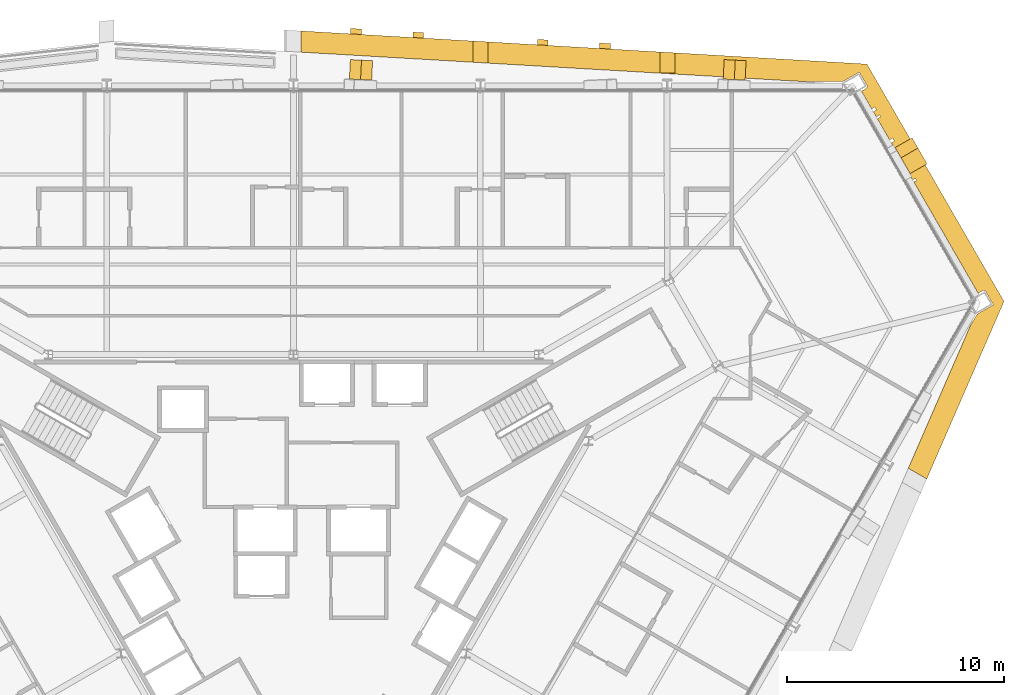
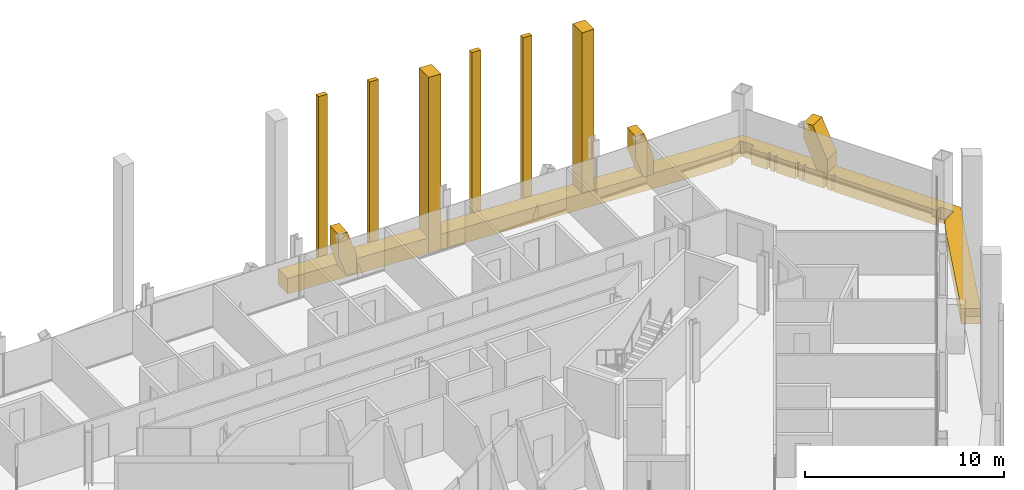
# One storey, part 19 of 19: 11 coverings.
"""IFC4 building model written with IfcOpenShell, lengths in metres."""

import ifcopenshell
import ifcopenshell.guid

model = None  # the IFC model being written
_history = None  # IfcOwnerHistory: only IFC2X3 demands one
_inside = {}  # id of a spatial element -> (the spatial element, [elements in it])
_under = {}  # id of a project, library or spatial element -> (it, [spatial elements below it])
_declared = {}  # id of a project -> (the project, [libraries it declares])
_typed = {}  # id of a type object -> (the type object, [elements of that type])
_made_of = {}  # id of a material, layer set ... -> (it, [elements and type objects made of it])


def new_model(schema):
    """Start an empty IFC model of exactly this schema.

    Asked for "IFC4X3", IfcOpenShell would pick the latest addendum, in which some entities
    have other attributes; the version numbers below select the first issue.
    IFC2X3 requires an IfcOwnerHistory on every rooted entity: one is made here for all.
    """
    global model, _history
    if schema == "IFC4X3":
        model = ifcopenshell.file(schema_version=(4, 3, 0, 0))
    else:
        model = ifcopenshell.file(schema=schema)
    _inside.clear()
    _under.clear()
    _declared.clear()
    _typed.clear()
    _made_of.clear()
    _history = None
    if model.schema == "IFC2X3":
        org = make("IfcOrganization", Name="unknown")
        user = make(
            "IfcPersonAndOrganization",
            ThePerson=make("IfcPerson", FamilyName="unknown"),
            TheOrganization=org,
        )
        app = make(
            "IfcApplication",
            ApplicationDeveloper=org,
            Version="unknown",
            ApplicationFullName="unknown",
            ApplicationIdentifier="unknown",
        )
        _history = make(
            "IfcOwnerHistory",
            OwningUser=user,
            OwningApplication=app,
            ChangeAction="ADDED",
            CreationDate=0,
        )
    return model


def make(cls, **values):
    """One entity of the class cls with the attributes given. An attribute that is None is left unset."""
    return model.create_entity(
        cls, **{name: value for name, value in values.items() if value is not None}
    )


def rooted(cls, **values):
    """An entity with a GlobalId (a new one), such as an element, a storey or a relation."""
    return make(cls, GlobalId=ifcopenshell.guid.new(), OwnerHistory=_history, **values)


def si_unit(unit_type, name, prefix=None):
    """IfcSIUnit, for example si_unit("LENGTHUNIT", "METRE", prefix="MILLI")."""
    return make("IfcSIUnit", UnitType=unit_type, Prefix=prefix, Name=name)


def assignment(units):
    """IfcUnitAssignment: the units of a project."""
    return None if units is None else make("IfcUnitAssignment", Units=units)


def point(xyz):
    """IfcCartesianPoint."""
    return None if xyz is None else make("IfcCartesianPoint", Coordinates=xyz)


def direction(xyz):
    """IfcDirection."""
    return None if xyz is None else make("IfcDirection", DirectionRatios=xyz)


def frame(location, z_axis=None, x_axis=None):
    """IfcAxis2Placement3D, a coordinate frame: its origin and axes. An axis left out is left unset."""
    return make(
        "IfcAxis2Placement3D",
        Location=point(location),
        Axis=direction(z_axis),
        RefDirection=direction(x_axis),
    )


def origin():
    """The frame at (0, 0, 0) with its axes left unset."""
    return frame((0.0, 0.0, 0.0))


def place(relative_to, where):
    """IfcLocalPlacement: puts the frame where relative to a parent placement (None: the world)."""
    return make(
        "IfcLocalPlacement", PlacementRelTo=relative_to, RelativePlacement=where
    )


def context(
    kind, dimensions, precision=None, world=None, true_north=None, identifier=None
):
    """IfcGeometricRepresentationContext, for example the 3D "Model" context."""
    return make(
        "IfcGeometricRepresentationContext",
        ContextIdentifier=identifier,
        ContextType=kind,
        CoordinateSpaceDimension=dimensions,
        Precision=precision,
        WorldCoordinateSystem=world,
        TrueNorth=true_north,
    )


def subcontext(parent, identifier, kind, view, scale=None):
    """IfcGeometricRepresentationSubContext, for example "Body" below "Model"."""
    return make(
        "IfcGeometricRepresentationSubContext",
        ContextIdentifier=identifier,
        ContextType=kind,
        ParentContext=parent,
        TargetScale=scale,
        TargetView=view,
    )


def project(units=None, contexts=None):
    """IfcProject with its units and contexts."""
    return rooted(
        "IfcProject",
        Name="project",
        RepresentationContexts=contexts,
        UnitsInContext=assignment(units),
    )


def spatial(cls, under=None, at=None, **own):
    """A site, building, storey or space (cls), placed at a placement, below another one or the project."""
    s = rooted(cls, ObjectPlacement=at, **own)
    if under is not None:
        _under.setdefault(under.id(), (under, []))[1].append(s)
    return s


def polyline(points):
    """IfcPolyline through the points."""
    return make("IfcPolyline", Points=[point(p) for p in points])


def outline(outer, holes=None, kind="AREA"):
    """IfcArbitraryClosedProfileDef: a profile drawn as a closed curve; with holes, ...WithVoids."""
    if holes is None:
        return make("IfcArbitraryClosedProfileDef", ProfileType=kind, OuterCurve=outer)
    return make(
        "IfcArbitraryProfileDefWithVoids",
        ProfileType=kind,
        OuterCurve=outer,
        InnerCurves=holes,
    )


def extrude(swept, where, along, depth):
    """IfcExtrudedAreaSolid: the profile swept, set in the frame where, extruded along a direction by depth."""
    return make(
        "IfcExtrudedAreaSolid",
        SweptArea=swept,
        Position=where,
        ExtrudedDirection=direction(along),
        Depth=depth,
    )


def shape(context_of_items, identifier, shape_type, items):
    """IfcShapeRepresentation: the items that make up one representation, for example the "Body"."""
    return make(
        "IfcShapeRepresentation",
        ContextOfItems=context_of_items,
        RepresentationIdentifier=identifier,
        RepresentationType=shape_type,
        Items=items,
    )


def material(Name=None, Category=None):
    """IfcMaterial."""
    return make("IfcMaterial", Name=Name, Category=Category)


def layer(
    of_material, thickness, ventilated=None, Name=None, Category=None, Priority=None
):
    """IfcMaterialLayer: one layer of a wall or slab, of a material (None: an air gap)."""
    return make(
        "IfcMaterialLayer",
        Material=of_material,
        LayerThickness=thickness,
        IsVentilated=ventilated,
        Name=Name,
        Category=Category,
        Priority=Priority,
    )


def layer_set(layers, Name=None):
    """IfcMaterialLayerSet."""
    return make("IfcMaterialLayerSet", MaterialLayers=layers, LayerSetName=Name)


def made_of(thing, what):
    """Note that an element or type object is made of a material, layer set ...; save() writes the relation."""
    if what is not None:
        _made_of.setdefault(what.id(), (what, []))[1].append(thing)
    return thing


def type_object(cls, material=None, **own):
    """A type object (cls), such as IfcWallType, which elements share."""
    return made_of(rooted(cls, **own), material)


def element(
    cls,
    number,
    at=None,
    inside=None,
    cuts=None,
    type_object=None,
    material=None,
    context=None,
    identifier="Body",
    shape_type=None,
    held_by="IfcProductDefinitionShape",
    body=None,
    shapes=None,
    **own,
):
    """One element of the class cls, such as IfcWall. Its Tag is "e" and its number.

    at: its placement. inside: the storey or other place that contains it. cuts: it is an
    opening in that element (IfcRelVoidsElement). A single representation is given by context,
    identifier, shape_type and body (its items); several are given by shapes. held_by: the class
    of the entity that holds the representations. save() writes the other relations.
    """
    e = rooted(cls, Tag="e%d" % number, ObjectPlacement=at, **own)
    if body is not None:
        shapes = [shape(context, identifier, shape_type, body)]
    if shapes is not None:
        e.Representation = make(held_by, Representations=shapes)
    if inside is not None:
        _inside.setdefault(inside.id(), (inside, []))[1].append(e)
    if cuts is not None:
        rooted(
            "IfcRelVoidsElement", RelatingBuildingElement=cuts, RelatedOpeningElement=e
        )
    if type_object is not None:
        _typed.setdefault(type_object.id(), (type_object, []))[1].append(e)
    return made_of(e, material)


def aggregate(whole, parts):
    """IfcRelAggregates: a whole, such as a stair, and the parts it consists of."""
    return rooted("IfcRelAggregates", RelatingObject=whole, RelatedObjects=parts)


def save(model, path):
    """Write the relations noted so far, then the file.

    IfcRelAggregates (storeys below a building ...), IfcRelContainedInSpatialStructure (elements
    in a storey), IfcRelDefinesByType, IfcRelAssociatesMaterial and IfcRelDeclares: one each for
    every whole, place, type object, material and project.
    """
    for whole, parts in _under.values():
        aggregate(whole, parts)
    for where, things in _inside.values():
        rooted(
            "IfcRelContainedInSpatialStructure",
            RelatedElements=things,
            RelatingStructure=where,
        )
    for kind, things in _typed.values():
        rooted("IfcRelDefinesByType", RelatedObjects=things, RelatingType=kind)
    for what, things in _made_of.values():
        rooted("IfcRelAssociatesMaterial", RelatedObjects=things, RelatingMaterial=what)
    for by, libraries in _declared.values():
        rooted("IfcRelDeclares", RelatingContext=by, RelatedDefinitions=libraries)
    model.write(path)


model = new_model("IFC4")

# Units and contexts
model_context = context("Model", 3, precision=1e-05, world=origin(), true_north=direction((0.0, 1.0)))
body_context = subcontext(model_context, "Body", "Model", "MODEL_VIEW")
ifc_project = project(units=[si_unit("LENGTHUNIT", "METRE"), si_unit("AREAUNIT", "SQUARE_METRE"), si_unit("VOLUMEUNIT", "CUBIC_METRE"), si_unit("PLANEANGLEUNIT", "RADIAN"), si_unit("MASSUNIT", "GRAM", prefix="KILO")], contexts=[model_context])

# Site, building, storey
site_placement = place(None, origin())
site = spatial("IfcSite", under=ifc_project, at=site_placement, CompositionType="ELEMENT")
building_placement = place(site_placement, origin())
building = spatial("IfcBuilding", under=site, at=building_placement, Name="Verrane Prism Tower", CompositionType="ELEMENT")
storey_placement = place(building_placement, frame((0.0, 0.0, 76.39990234375)))
storey = spatial("IfcBuildingStorey", under=building, at=storey_placement, Name="L17", CompositionType="ELEMENT", Elevation=76.39990234375)

# Coverings
ifc_material_1 = material(Name="Warm limestone cladding", Category="masonry")
ifc_layer_1 = layer(ifc_material_1, 0.89990234375)
ifc_layer_set_1 = layer_set([ifc_layer_1], Name="Stone brace fin 900")
covering_type_1 = type_object("IfcCoveringType", Name="Stone brace fin 900", PredefinedType="CLADDING", material=ifc_layer_set_1)
covering_1_placement = place(storey_placement, frame((20.875, 22.322265625, 0.0), z_axis=(0.0, 0.0, 1.0), x_axis=(-0.998742704027, 0.050129942673, 0.0)))
element("IfcCovering", 1, at=covering_1_placement, inside=storey, type_object=covering_type_1, Name="Stone brace fin N1 L17", PredefinedType="CLADDING", context=body_context, shape_type="SweptSolid", body=[
    extrude(outline(polyline([(1.0126953125, 2.650146484375), (0.4990234375, 2.650146484375), (0.0, 1.167724609375), (0.0, 0.0), (0.556396484375, 0.0), (1.0126953125, 1.35546875), (1.0126953125, 2.650146484375)])), frame((0.0, 0.449951171875, 0.0), z_axis=(0.0, -1.0, 0.0), x_axis=(1.0, 0.0, 0.0)), (0.0, 0.0, 1.0), 0.89990234375),
])
covering_2_placement = place(storey_placement, frame((3.6279296875, 22.322265625, 0.0), z_axis=(0.0, 0.0, 1.0), x_axis=(-0.998778271214, 0.049416241773, 0.0)))
element("IfcCovering", 2, at=covering_2_placement, inside=storey, type_object=covering_type_1, Name="Stone brace fin N3 L17", PredefinedType="CLADDING", context=body_context, shape_type="SweptSolid", body=[
    extrude(outline(polyline([(1.02783203125, 2.650146484375), (0.5126953125, 2.650146484375), (0.0, 1.1494140625), (0.0, 0.0), (0.558349609375, 0.0), (1.02783203125, 1.373779296875), (1.02783203125, 2.650146484375)])), frame((0.0, 0.449951171875, 0.0), z_axis=(0.0, -1.0, 0.0), x_axis=(1.0, 0.0, 0.0)), (0.0, 0.0, 1.0), 0.89990234375),
])
covering_3_placement = place(storey_placement, frame((28.864990234375, 17.782958984375, 0.0), z_axis=(0.0, 0.0, 1.0), x_axis=(-0.499397204883, 0.866373148104, 0.0)))
element("IfcCovering", 3, at=covering_3_placement, inside=storey, type_object=covering_type_1, Name="Stone brace fin NE1 L17", PredefinedType="CLADDING", context=body_context, shape_type="SweptSolid", body=[
    extrude(outline(polyline([(1.386474609375, 2.650146484375), (0.841064453125, 2.650146484375), (0.0, 0.82861328125), (0.0, 0.0), (0.60888671875, 0.0), (1.386474609375, 1.6845703125), (1.386474609375, 2.650146484375)])), frame((0.0, 0.449951171875, 0.0), z_axis=(0.0, -1.0, 0.0), x_axis=(1.0, 0.0, 0.0)), (0.0, 0.0, 1.0), 0.89990234375),
])
ifc_material_2 = material(Name="Warm limestone cladding", Category="masonry")
covering_type_2 = type_object("IfcCoveringType", Name="Stone mullion pier 500", PredefinedType="CLADDING", material=ifc_material_2)
covering_4_placement = place(storey_placement, frame((0.0, 0.0, -0.949951171875)))
element("IfcCovering", 4, at=covering_4_placement, inside=storey, type_object=covering_type_2, Name="Stone pier SM-N1.1 L17-L19", PredefinedType="CLADDING", context=body_context, shape_type="SweptSolid", body=[
    extrude(outline(polyline([(14.136474609375, 23.337890625), (14.636474609375, 23.30859375), (14.636474609375, 23.55908203125), (14.136474609375, 23.588134765625), (14.136474609375, 23.337890625)])), origin(), (0.0, 0.0, 1.0), 10.800048828125),
])
covering_5_placement = place(storey_placement, frame((0.0, 0.0, -0.949951171875)))
element("IfcCovering", 5, at=covering_5_placement, inside=storey, type_object=covering_type_2, Name="Stone pier SM-N1.2 L17-L19", PredefinedType="CLADDING", context=body_context, shape_type="SweptSolid", body=[
    extrude(outline(polyline([(11.259033203125, 23.506103515625), (11.759033203125, 23.476806640625), (11.759033203125, 23.727294921875), (11.259033203125, 23.756591796875), (11.259033203125, 23.506103515625)])), origin(), (0.0, 0.0, 1.0), 10.800048828125),
])
covering_6_placement = place(storey_placement, frame((0.0, 0.0, -0.949951171875)))
element("IfcCovering", 6, at=covering_6_placement, inside=storey, type_object=covering_type_2, Name="Stone pier SM-N2.1 L17-L19", PredefinedType="CLADDING", context=body_context, shape_type="SweptSolid", body=[
    extrude(outline(polyline([(5.504638671875, 23.8427734375), (6.004638671875, 23.813720703125), (6.004638671875, 24.06396484375), (5.504638671875, 24.09326171875), (5.504638671875, 23.8427734375)])), origin(), (0.0, 0.0, 1.0), 10.800048828125),
])
covering_7_placement = place(storey_placement, frame((0.0, 0.0, -0.949951171875)))
element("IfcCovering", 7, at=covering_7_placement, inside=storey, type_object=covering_type_2, Name="Stone pier SM-N2.2 L17-L19", PredefinedType="CLADDING", context=body_context, shape_type="SweptSolid", body=[
    extrude(outline(polyline([(2.627197265625, 24.01123046875), (3.127197265625, 23.98193359375), (3.127197265625, 24.232421875), (2.627197265625, 24.26171875), (2.627197265625, 24.01123046875)])), origin(), (0.0, 0.0, 1.0), 10.800048828125),
])
ifc_material_3 = material(Name="Warm limestone cladding", Category="masonry")
covering_type_3 = type_object("IfcCoveringType", Name="Stone pier 700", PredefinedType="CLADDING", material=ifc_material_3)
covering_8_placement = place(storey_placement, frame((0.0, 0.0, -0.949951171875)))
element("IfcCovering", 8, at=covering_8_placement, inside=storey, type_object=covering_type_3, Name="Stone pier PC-N1 L17-L19", PredefinedType="CLADDING", context=body_context, shape_type="SweptSolid", body=[
    extrude(outline(polyline([(16.913818359375, 22.214599609375), (17.61376953125, 22.214599609375), (17.61376953125, 23.13427734375), (16.913818359375, 23.17529296875), (16.913818359375, 22.214599609375)])), origin(), (0.0, 0.0, 1.0), 10.800048828125),
])
covering_9_placement = place(storey_placement, frame((0.0, 0.0, -0.949951171875)))
element("IfcCovering", 9, at=covering_9_placement, inside=storey, type_object=covering_type_3, Name="Stone pier PC-N2 L17-L19", PredefinedType="CLADDING", context=body_context, shape_type="SweptSolid", body=[
    extrude(outline(polyline([(8.28173828125, 23.680419921875), (8.28173828125, 22.70068359375), (8.981689453125, 22.65966796875), (8.981689453125, 23.639404296875), (8.28173828125, 23.680419921875)])), origin(), (0.0, 0.0, 1.0), 10.800048828125),
])
ifc_material_4 = material(Name="Warm limestone cladding", Category="masonry")
ifc_layer_2 = layer(ifc_material_4, 0.449951171875)
ifc_layer_set_2 = layer_set([ifc_layer_2], Name="Stone spandrel band 450")
covering_type_4 = type_object("IfcCoveringType", Name="Stone spandrel band 450", PredefinedType="CLADDING", material=ifc_layer_set_2)
covering_10_placement = place(storey_placement, frame((0.0, 0.0, -0.949951171875)))
element("IfcCovering", 10, at=covering_10_placement, inside=storey, type_object=covering_type_4, Name="Stone spandrel band L17 part 1", PredefinedType="CLADDING", context=body_context, shape_type="SweptSolid", body=[
    extrude(outline(polyline([(8.981689453125, 22.65966796875), (23.616455078125, 21.803466796875), (25.37109375, 21.803466796875), (26.125732421875, 22.239013671875), (26.505615234375, 21.580810546875), (26.486328125, 21.56982421875), (26.436279296875, 21.486572265625), (26.2255859375, 21.36474609375), (26.698486328125, 20.545654296875), (26.845458984375, 20.63037109375), (26.9228515625, 20.49609375), (26.776123046875, 20.411376953125), (26.912109375, 20.17578125), (27.05859375, 20.260498046875), (27.106689453125, 20.17724609375), (26.960205078125, 20.0927734375), (27.525634765625, 19.11328125), (27.67138671875, 19.197265625), (27.751220703125, 19.05908203125), (27.605224609375, 18.97509765625), (27.7431640625, 18.736572265625), (27.888671875, 18.8203125), (27.936767578125, 18.7373046875), (27.791015625, 18.6533203125), (28.356689453125, 17.673828125), (28.50146484375, 17.75732421875), (28.5810546875, 17.619140625), (28.436279296875, 17.535888671875), (28.587646484375, 17.273681640625), (28.743896484375, 17.322998046875), (28.773193359375, 17.230712890625), (28.63720703125, 17.187744140625), (31.61572265625, 12.02880859375), (31.822265625, 12.148193359375), (31.916748046875, 12.148193359375), (31.935791015625, 12.1591796875), (32.315673828125, 11.5009765625), (31.566650390625, 11.068603515625), (31.242919921875, 10.5078125), (28.38818359375, 3.948486328125), (29.24072265625, 3.456298828125), (32.80810546875, 11.653076171875), (26.47900390625, 22.615478515625), (17.61376953125, 23.13427734375), (17.61376953125, 22.214599609375), (16.913818359375, 22.214599609375), (16.913818359375, 23.17529296875), (8.981689453125, 23.639404296875), (8.981689453125, 22.65966796875)])), origin(), (0.0, 0.0, 1.0), 0.949951171875),
])
covering_11_placement = place(storey_placement, frame((0.0, 0.0, -0.949951171875)))
element("IfcCovering", 11, at=covering_11_placement, inside=storey, type_object=covering_type_4, Name="Stone spandrel band L17 part 8", PredefinedType="CLADDING", context=body_context, shape_type="SweptSolid", body=[
    extrude(outline(polyline([(0.35009765625, 23.164794921875), (8.28173828125, 22.70068359375), (8.28173828125, 23.680419921875), (0.35009765625, 24.144287109375), (0.35009765625, 23.164794921875)])), origin(), (0.0, 0.0, 1.0), 0.949951171875),
])

save(model, "model.ifc")
